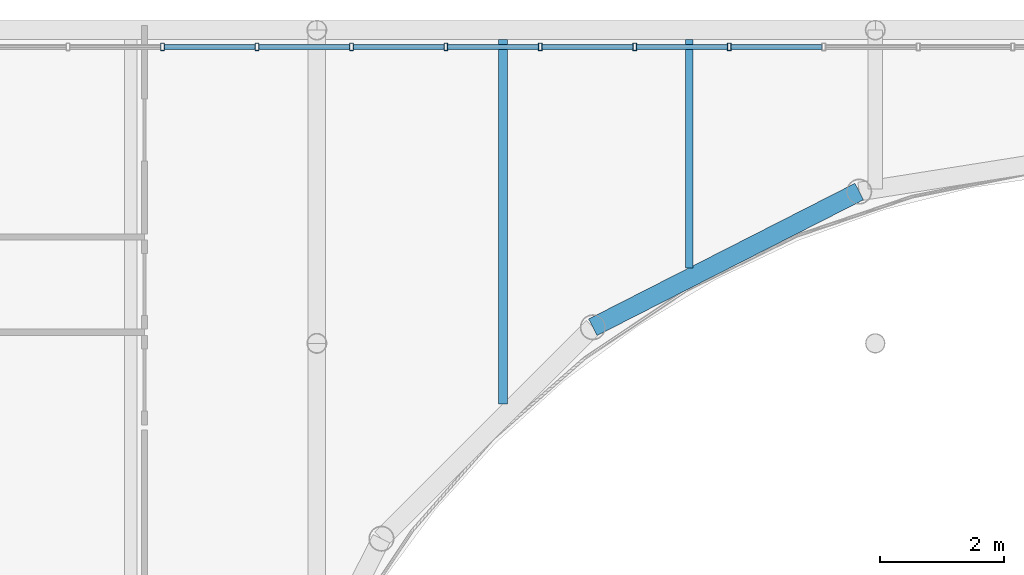
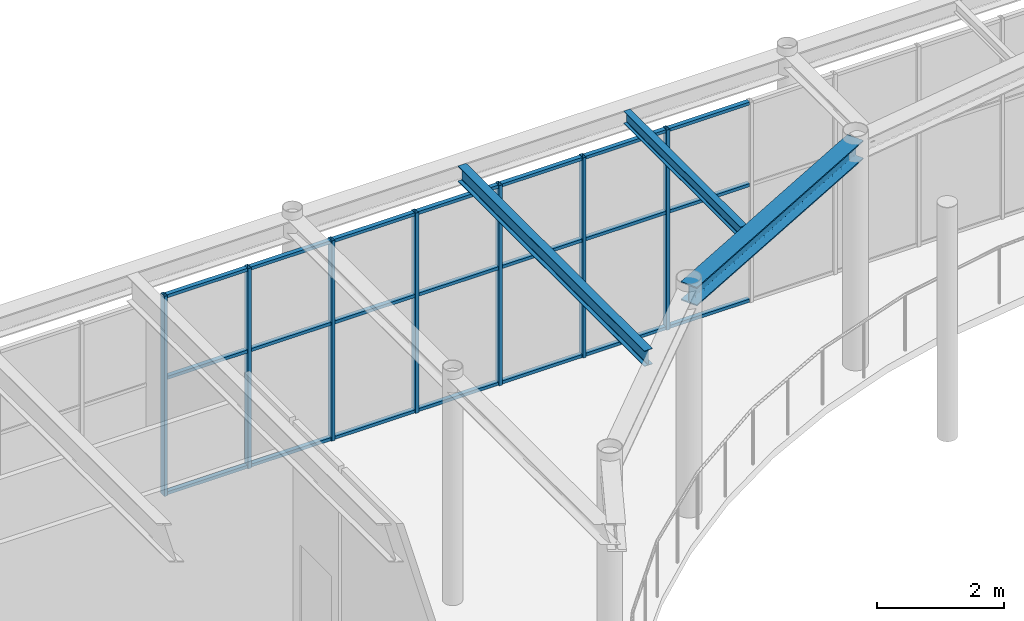
# One storey, part 36 of 70: 28 members, 3 beams, 1 element without a shape of its own.
"""IFC4 building model written with IfcOpenShell, lengths in metres."""

from ifc_helpers import new_model, si_unit, direction, frame, origin, origin_2d, place, context, subcontext, project, spatial, hollow_rectangle, i_section, extrude, material, layer, layer_set, material_profile, profile_set, type_object, element, aggregate, save


model = new_model("IFC4")

# Units and contexts
model_context = context("Model", 3, precision=1e-05, world=origin(), true_north=direction((0.0, 1.0)))
body_context = subcontext(model_context, "Body", "Model", "MODEL_VIEW")
ifc_project = project(units=[si_unit("LENGTHUNIT", "METRE"), si_unit("AREAUNIT", "SQUARE_METRE"), si_unit("VOLUMEUNIT", "CUBIC_METRE"), si_unit("PLANEANGLEUNIT", "RADIAN"), si_unit("MASSUNIT", "GRAM", prefix="KILO")], contexts=[model_context])

# Site, building, storey
site_placement = place(None, origin())
site = spatial("IfcSite", under=ifc_project, at=site_placement, CompositionType="ELEMENT")
building_placement = place(site_placement, origin())
building = spatial("IfcBuilding", under=site, at=building_placement, Name="Kallimachos Central Library", CompositionType="ELEMENT")
storey_placement = place(building_placement, frame((0.0, 0.0, 18.89990234375)))
storey = spatial("IfcBuildingStorey", under=building, at=storey_placement, Name="L04", CompositionType="ELEMENT", Elevation=18.89990234375)

# Curtain wall, members
ifc_material_1 = material(Name="Anodised aluminium and laminated glass", Category="aluminium")
ifc_layer = layer(ifc_material_1, 0.159912109375)
ifc_layer_set = layer_set([ifc_layer], Name="Glass box curtain wall")
curtain_wall_type = type_object("IfcCurtainWallType", Name="Glass box curtain wall", PredefinedType="NOTDEFINED", material=ifc_layer_set)
curtain_wall_placement = place(storey_placement, origin())
curtain_wall = element("IfcCurtainWall", 1, at=curtain_wall_placement, inside=storey, type_object=curtain_wall_type, Name="Glass box curtain wall N L04", PredefinedType="NOTDEFINED")
ifc_material_2 = material(Name="Anodised aluminium", Category="aluminium")
ifc_material_profile_1 = material_profile(ifc_material_2, hollow_rectangle(XDim=0.06005859375, YDim=0.1201171875, WallThickness=0.00390625, at=origin_2d()), Name="ALU MULLION 60x120")
ifc_profile_set_1 = profile_set([ifc_material_profile_1], Name="Anodised aluminium")
member_type_1 = type_object("IfcMemberType", Name="Glass box mullion 60x120", PredefinedType="MULLION", material=ifc_profile_set_1)
member_1_placement = place(storey_placement, frame((72.010986328125, 121.3798828125, 0.0), z_axis=(0.0, 0.0, 1.0), x_axis=(1.0, 0.0, 0.0)))
member_1 = element("IfcMember", 2, at=member_1_placement, type_object=member_type_1, Name="CW34 mullion 5", PredefinedType="MULLION", context=body_context, shape_type="SweptSolid", body=[
    extrude(hollow_rectangle(XDim=0.06005859375, YDim=0.1201171875, WallThickness=0.00390625, at=origin_2d()), origin(), (0.0, 0.0, 1.0), 3.85009765625),
])
member_2_placement = place(storey_placement, frame((73.53369140625, 121.3798828125, 0.0), z_axis=(0.0, 0.0, 1.0), x_axis=(1.0, 0.0, 0.0)))
member_2 = element("IfcMember", 3, at=member_2_placement, type_object=member_type_1, Name="CW34 mullion 6", PredefinedType="MULLION", context=body_context, shape_type="SweptSolid", body=[
    extrude(hollow_rectangle(XDim=0.06005859375, YDim=0.1201171875, WallThickness=0.00390625, at=origin_2d()), origin(), (0.0, 0.0, 1.0), 3.85009765625),
])
member_3_placement = place(storey_placement, frame((75.056640625, 121.3798828125, 0.0), z_axis=(0.0, 0.0, 1.0), x_axis=(1.0, 0.0, 0.0)))
member_3 = element("IfcMember", 4, at=member_3_placement, type_object=member_type_1, Name="CW34 mullion 7", PredefinedType="MULLION", context=body_context, shape_type="SweptSolid", body=[
    extrude(hollow_rectangle(XDim=0.06005859375, YDim=0.1201171875, WallThickness=0.00390625, at=origin_2d()), origin(), (0.0, 0.0, 1.0), 3.85009765625),
])
member_4_placement = place(storey_placement, frame((76.579345703125, 121.3798828125, 0.0), z_axis=(0.0, 0.0, 1.0), x_axis=(1.0, 0.0, 0.0)))
member_4 = element("IfcMember", 5, at=member_4_placement, type_object=member_type_1, Name="CW34 mullion 8", PredefinedType="MULLION", context=body_context, shape_type="SweptSolid", body=[
    extrude(hollow_rectangle(XDim=0.06005859375, YDim=0.1201171875, WallThickness=0.00390625, at=origin_2d()), origin(), (0.0, 0.0, 1.0), 3.85009765625),
])
member_5_placement = place(storey_placement, frame((78.10205078125, 121.3798828125, 0.0), z_axis=(0.0, 0.0, 1.0), x_axis=(1.0, 0.0, 0.0)))
member_5 = element("IfcMember", 6, at=member_5_placement, type_object=member_type_1, Name="CW34 mullion 9", PredefinedType="MULLION", context=body_context, shape_type="SweptSolid", body=[
    extrude(hollow_rectangle(XDim=0.06005859375, YDim=0.1201171875, WallThickness=0.00390625, at=origin_2d()), origin(), (0.0, 0.0, 1.0), 3.85009765625),
])
member_6_placement = place(storey_placement, frame((79.624755859375, 121.3798828125, 0.0), z_axis=(0.0, 0.0, 1.0), x_axis=(1.0, 0.0, 0.0)))
member_6 = element("IfcMember", 7, at=member_6_placement, type_object=member_type_1, Name="CW34 mullion 10", PredefinedType="MULLION", context=body_context, shape_type="SweptSolid", body=[
    extrude(hollow_rectangle(XDim=0.06005859375, YDim=0.1201171875, WallThickness=0.00390625, at=origin_2d()), origin(), (0.0, 0.0, 1.0), 3.85009765625),
])
member_7_placement = place(storey_placement, frame((81.147705078125, 121.3798828125, 0.0), z_axis=(0.0, 0.0, 1.0), x_axis=(1.0, 0.0, 0.0)))
member_7 = element("IfcMember", 8, at=member_7_placement, type_object=member_type_1, Name="CW34 mullion 11", PredefinedType="MULLION", context=body_context, shape_type="SweptSolid", body=[
    extrude(hollow_rectangle(XDim=0.06005859375, YDim=0.1201171875, WallThickness=0.00390625, at=origin_2d()), origin(), (0.0, 0.0, 1.0), 3.85009765625),
])
ifc_material_3 = material(Name="Anodised aluminium", Category="aluminium")
ifc_material_profile_2 = material_profile(ifc_material_3, hollow_rectangle(XDim=0.06005859375, YDim=0.080078125, WallThickness=0.00390625, at=origin_2d()), Name="ALU TRANSOM 60x80")
ifc_profile_set_2 = profile_set([ifc_material_profile_2], Name="Anodised aluminium")
member_type_2 = type_object("IfcMemberType", Name="Glass box transom 60x80", PredefinedType="USERDEFINED", material=ifc_profile_set_2)
member_8_placement = place(storey_placement, frame((72.041015625, 121.3798828125, 0.030029296875), z_axis=(1.0, 0.0, 0.0), x_axis=(0.0, 0.0, 1.0)))
member_8 = element("IfcMember", 9, at=member_8_placement, type_object=member_type_2, Name="CW34 transom 5.1", ObjectType="TRANSOM", PredefinedType="USERDEFINED", context=body_context, shape_type="SweptSolid", body=[
    extrude(hollow_rectangle(XDim=0.06005859375, YDim=0.080078125, WallThickness=0.00390625, at=origin_2d()), origin(), (0.0, 0.0, 1.0), 1.462890625),
])
member_9_placement = place(storey_placement, frame((72.041015625, 121.3798828125, 2.25), z_axis=(1.0, 0.0, 0.0), x_axis=(0.0, 0.0, 1.0)))
member_9 = element("IfcMember", 10, at=member_9_placement, type_object=member_type_2, Name="CW34 transom 5.2", ObjectType="TRANSOM", PredefinedType="USERDEFINED", context=body_context, shape_type="SweptSolid", body=[
    extrude(hollow_rectangle(XDim=0.06005859375, YDim=0.080078125, WallThickness=0.00390625, at=origin_2d()), origin(), (0.0, 0.0, 1.0), 1.462890625),
])
member_10_placement = place(storey_placement, frame((72.041015625, 121.3798828125, 3.820068359375), z_axis=(1.0, 0.0, 0.0), x_axis=(0.0, 0.0, 1.0)))
member_10 = element("IfcMember", 11, at=member_10_placement, type_object=member_type_2, Name="CW34 transom 5.3", ObjectType="TRANSOM", PredefinedType="USERDEFINED", context=body_context, shape_type="SweptSolid", body=[
    extrude(hollow_rectangle(XDim=0.06005859375, YDim=0.080078125, WallThickness=0.00390625, at=origin_2d()), origin(), (0.0, 0.0, 1.0), 1.462890625),
])
member_11_placement = place(storey_placement, frame((73.563720703125, 121.3798828125, 0.030029296875), z_axis=(1.0, 0.0, 0.0), x_axis=(0.0, 0.0, 1.0)))
member_11 = element("IfcMember", 12, at=member_11_placement, type_object=member_type_2, Name="CW34 transom 6.1", ObjectType="TRANSOM", PredefinedType="USERDEFINED", context=body_context, shape_type="SweptSolid", body=[
    extrude(hollow_rectangle(XDim=0.06005859375, YDim=0.080078125, WallThickness=0.00390625, at=origin_2d()), origin(), (0.0, 0.0, 1.0), 1.462890625),
])
member_12_placement = place(storey_placement, frame((73.563720703125, 121.3798828125, 2.25), z_axis=(1.0, 0.0, 0.0), x_axis=(0.0, 0.0, 1.0)))
member_12 = element("IfcMember", 13, at=member_12_placement, type_object=member_type_2, Name="CW34 transom 6.2", ObjectType="TRANSOM", PredefinedType="USERDEFINED", context=body_context, shape_type="SweptSolid", body=[
    extrude(hollow_rectangle(XDim=0.06005859375, YDim=0.080078125, WallThickness=0.00390625, at=origin_2d()), origin(), (0.0, 0.0, 1.0), 1.462890625),
])
member_13_placement = place(storey_placement, frame((73.563720703125, 121.3798828125, 3.820068359375), z_axis=(1.0, 0.0, 0.0), x_axis=(0.0, 0.0, 1.0)))
member_13 = element("IfcMember", 14, at=member_13_placement, type_object=member_type_2, Name="CW34 transom 6.3", ObjectType="TRANSOM", PredefinedType="USERDEFINED", context=body_context, shape_type="SweptSolid", body=[
    extrude(hollow_rectangle(XDim=0.06005859375, YDim=0.080078125, WallThickness=0.00390625, at=origin_2d()), origin(), (0.0, 0.0, 1.0), 1.462890625),
])
member_14_placement = place(storey_placement, frame((75.086669921875, 121.3798828125, 0.030029296875), z_axis=(1.0, 0.0, 0.0), x_axis=(0.0, 0.0, 1.0)))
member_14 = element("IfcMember", 15, at=member_14_placement, type_object=member_type_2, Name="CW34 transom 7.1", ObjectType="TRANSOM", PredefinedType="USERDEFINED", context=body_context, shape_type="SweptSolid", body=[
    extrude(hollow_rectangle(XDim=0.06005859375, YDim=0.080078125, WallThickness=0.00390625, at=origin_2d()), origin(), (0.0, 0.0, 1.0), 1.462646484375),
])
member_15_placement = place(storey_placement, frame((75.086669921875, 121.3798828125, 2.25), z_axis=(1.0, 0.0, 0.0), x_axis=(0.0, 0.0, 1.0)))
member_15 = element("IfcMember", 16, at=member_15_placement, type_object=member_type_2, Name="CW34 transom 7.2", ObjectType="TRANSOM", PredefinedType="USERDEFINED", context=body_context, shape_type="SweptSolid", body=[
    extrude(hollow_rectangle(XDim=0.06005859375, YDim=0.080078125, WallThickness=0.00390625, at=origin_2d()), origin(), (0.0, 0.0, 1.0), 1.462646484375),
])
member_16_placement = place(storey_placement, frame((75.086669921875, 121.3798828125, 3.820068359375), z_axis=(1.0, 0.0, 0.0), x_axis=(0.0, 0.0, 1.0)))
member_16 = element("IfcMember", 17, at=member_16_placement, type_object=member_type_2, Name="CW34 transom 7.3", ObjectType="TRANSOM", PredefinedType="USERDEFINED", context=body_context, shape_type="SweptSolid", body=[
    extrude(hollow_rectangle(XDim=0.06005859375, YDim=0.080078125, WallThickness=0.00390625, at=origin_2d()), origin(), (0.0, 0.0, 1.0), 1.462646484375),
])
member_17_placement = place(storey_placement, frame((76.609375, 121.3798828125, 0.030029296875), z_axis=(1.0, 0.0, 0.0), x_axis=(0.0, 0.0, 1.0)))
member_17 = element("IfcMember", 18, at=member_17_placement, type_object=member_type_2, Name="CW34 transom 8.1", ObjectType="TRANSOM", PredefinedType="USERDEFINED", context=body_context, shape_type="SweptSolid", body=[
    extrude(hollow_rectangle(XDim=0.06005859375, YDim=0.080078125, WallThickness=0.00390625, at=origin_2d()), origin(), (0.0, 0.0, 1.0), 1.462646484375),
])
member_18_placement = place(storey_placement, frame((76.609375, 121.3798828125, 2.25), z_axis=(1.0, 0.0, 0.0), x_axis=(0.0, 0.0, 1.0)))
member_18 = element("IfcMember", 19, at=member_18_placement, type_object=member_type_2, Name="CW34 transom 8.2", ObjectType="TRANSOM", PredefinedType="USERDEFINED", context=body_context, shape_type="SweptSolid", body=[
    extrude(hollow_rectangle(XDim=0.06005859375, YDim=0.080078125, WallThickness=0.00390625, at=origin_2d()), origin(), (0.0, 0.0, 1.0), 1.462646484375),
])
member_19_placement = place(storey_placement, frame((76.609375, 121.3798828125, 3.820068359375), z_axis=(1.0, 0.0, 0.0), x_axis=(0.0, 0.0, 1.0)))
member_19 = element("IfcMember", 20, at=member_19_placement, type_object=member_type_2, Name="CW34 transom 8.3", ObjectType="TRANSOM", PredefinedType="USERDEFINED", context=body_context, shape_type="SweptSolid", body=[
    extrude(hollow_rectangle(XDim=0.06005859375, YDim=0.080078125, WallThickness=0.00390625, at=origin_2d()), origin(), (0.0, 0.0, 1.0), 1.462646484375),
])
member_20_placement = place(storey_placement, frame((78.132080078125, 121.3798828125, 0.030029296875), z_axis=(1.0, 0.0, 0.0), x_axis=(0.0, 0.0, 1.0)))
member_20 = element("IfcMember", 21, at=member_20_placement, type_object=member_type_2, Name="CW34 transom 9.1", ObjectType="TRANSOM", PredefinedType="USERDEFINED", context=body_context, shape_type="SweptSolid", body=[
    extrude(hollow_rectangle(XDim=0.06005859375, YDim=0.080078125, WallThickness=0.00390625, at=origin_2d()), origin(), (0.0, 0.0, 1.0), 1.462646484375),
])
member_21_placement = place(storey_placement, frame((78.132080078125, 121.3798828125, 2.25), z_axis=(1.0, 0.0, 0.0), x_axis=(0.0, 0.0, 1.0)))
member_21 = element("IfcMember", 22, at=member_21_placement, type_object=member_type_2, Name="CW34 transom 9.2", ObjectType="TRANSOM", PredefinedType="USERDEFINED", context=body_context, shape_type="SweptSolid", body=[
    extrude(hollow_rectangle(XDim=0.06005859375, YDim=0.080078125, WallThickness=0.00390625, at=origin_2d()), origin(), (0.0, 0.0, 1.0), 1.462646484375),
])
member_22_placement = place(storey_placement, frame((78.132080078125, 121.3798828125, 3.820068359375), z_axis=(1.0, 0.0, 0.0), x_axis=(0.0, 0.0, 1.0)))
member_22 = element("IfcMember", 23, at=member_22_placement, type_object=member_type_2, Name="CW34 transom 9.3", ObjectType="TRANSOM", PredefinedType="USERDEFINED", context=body_context, shape_type="SweptSolid", body=[
    extrude(hollow_rectangle(XDim=0.06005859375, YDim=0.080078125, WallThickness=0.00390625, at=origin_2d()), origin(), (0.0, 0.0, 1.0), 1.462646484375),
])
member_23_placement = place(storey_placement, frame((79.65478515625, 121.3798828125, 0.030029296875), z_axis=(1.0, 0.0, 0.0), x_axis=(0.0, 0.0, 1.0)))
member_23 = element("IfcMember", 24, at=member_23_placement, type_object=member_type_2, Name="CW34 transom 10.1", ObjectType="TRANSOM", PredefinedType="USERDEFINED", context=body_context, shape_type="SweptSolid", body=[
    extrude(hollow_rectangle(XDim=0.06005859375, YDim=0.080078125, WallThickness=0.00390625, at=origin_2d()), origin(), (0.0, 0.0, 1.0), 1.462890625),
])
member_24_placement = place(storey_placement, frame((79.65478515625, 121.3798828125, 2.25), z_axis=(1.0, 0.0, 0.0), x_axis=(0.0, 0.0, 1.0)))
member_24 = element("IfcMember", 25, at=member_24_placement, type_object=member_type_2, Name="CW34 transom 10.2", ObjectType="TRANSOM", PredefinedType="USERDEFINED", context=body_context, shape_type="SweptSolid", body=[
    extrude(hollow_rectangle(XDim=0.06005859375, YDim=0.080078125, WallThickness=0.00390625, at=origin_2d()), origin(), (0.0, 0.0, 1.0), 1.462890625),
])
member_25_placement = place(storey_placement, frame((79.65478515625, 121.3798828125, 3.820068359375), z_axis=(1.0, 0.0, 0.0), x_axis=(0.0, 0.0, 1.0)))
member_25 = element("IfcMember", 26, at=member_25_placement, type_object=member_type_2, Name="CW34 transom 10.3", ObjectType="TRANSOM", PredefinedType="USERDEFINED", context=body_context, shape_type="SweptSolid", body=[
    extrude(hollow_rectangle(XDim=0.06005859375, YDim=0.080078125, WallThickness=0.00390625, at=origin_2d()), origin(), (0.0, 0.0, 1.0), 1.462890625),
])
member_26_placement = place(storey_placement, frame((81.177490234375, 121.3798828125, 0.030029296875), z_axis=(1.0, 0.0, 0.0), x_axis=(0.0, 0.0, 1.0)))
member_26 = element("IfcMember", 27, at=member_26_placement, type_object=member_type_2, Name="CW34 transom 11.1", ObjectType="TRANSOM", PredefinedType="USERDEFINED", context=body_context, shape_type="SweptSolid", body=[
    extrude(hollow_rectangle(XDim=0.06005859375, YDim=0.080078125, WallThickness=0.00390625, at=origin_2d()), origin(), (0.0, 0.0, 1.0), 1.462890625),
])
member_27_placement = place(storey_placement, frame((81.177490234375, 121.3798828125, 2.25), z_axis=(1.0, 0.0, 0.0), x_axis=(0.0, 0.0, 1.0)))
member_27 = element("IfcMember", 28, at=member_27_placement, type_object=member_type_2, Name="CW34 transom 11.2", ObjectType="TRANSOM", PredefinedType="USERDEFINED", context=body_context, shape_type="SweptSolid", body=[
    extrude(hollow_rectangle(XDim=0.06005859375, YDim=0.080078125, WallThickness=0.00390625, at=origin_2d()), origin(), (0.0, 0.0, 1.0), 1.462890625),
])
member_28_placement = place(storey_placement, frame((81.177490234375, 121.3798828125, 3.820068359375), z_axis=(1.0, 0.0, 0.0), x_axis=(0.0, 0.0, 1.0)))
member_28 = element("IfcMember", 29, at=member_28_placement, type_object=member_type_2, Name="CW34 transom 11.3", ObjectType="TRANSOM", PredefinedType="USERDEFINED", context=body_context, shape_type="SweptSolid", body=[
    extrude(hollow_rectangle(XDim=0.06005859375, YDim=0.080078125, WallThickness=0.00390625, at=origin_2d()), origin(), (0.0, 0.0, 1.0), 1.462890625),
])
aggregate(curtain_wall, [member_1, member_2, member_3, member_4, member_5, member_6, member_7, member_8, member_9, member_10, member_11, member_12, member_13, member_14, member_15, member_16, member_17, member_18, member_19, member_20, member_21, member_22, member_23, member_24, member_25, member_26, member_27, member_28])

# Beams
ifc_material_4 = material(Name="Steel S355J2", Category="steel")
ifc_material_profile_3 = material_profile(ifc_material_4, i_section(OverallWidth=0.300048828125, OverallDepth=0.360107421875, WebThickness=0.012451171875, FlangeThickness=0.0224609375, FilletRadius=0.027099609375, at=origin_2d()), Name="HEB 360")
ifc_profile_set_3 = profile_set([ifc_material_profile_3], Name="Steel S355J2")
beam_type_1 = type_object("IfcBeamType", Name="HEB 360 beam", PredefinedType="BEAM", material=ifc_profile_set_3)
beam_1_placement = place(storey_placement, frame((83.2412109375, 119.04638671875, 4.170166015625), z_axis=(-0.891006627269, -0.453990297432, 0.0), x_axis=(0.453990297432, -0.891006627269, 0.0)))
element("IfcBeam", 30, at=beam_1_placement, inside=storey, type_object=beam_type_1, Name="V1-BEM-L04-007", PredefinedType="BEAM", context=body_context, shape_type="SweptSolid", body=[
    extrude(i_section(OverallWidth=0.300048828125, OverallDepth=0.360107421875, WebThickness=0.012451171875, FlangeThickness=0.0224609375, FilletRadius=0.027099609375, at=origin_2d()), origin(), (0.0, 0.0, 1.0), 4.818359375),
])
ifc_material_5 = material(Name="Steel S355J2", Category="steel")
ifc_material_profile_4 = material_profile(ifc_material_5, i_section(OverallWidth=0.1201171875, OverallDepth=0.239990234375, WebThickness=0.006103515625, FlangeThickness=0.009765625, FilletRadius=0.014892578125, at=origin_2d()), Name="IPE 240")
ifc_profile_set_4 = profile_set([ifc_material_profile_4], Name="Steel S355J2")
beam_type_2 = type_object("IfcBeamType", Name="IPE 240 beam", PredefinedType="BEAM", material=ifc_profile_set_4)
beam_2_placement = place(storey_placement, frame((80.5, 117.818115234375, 4.22998046875), z_axis=(0.0, 1.0, 0.0), x_axis=(-1.0, 0.0, 0.0)))
element("IfcBeam", 31, at=beam_2_placement, inside=storey, type_object=beam_type_2, Name="V1-BEM-L04-056", PredefinedType="BEAM", context=body_context, shape_type="SweptSolid", body=[
    extrude(i_section(OverallWidth=0.1201171875, OverallDepth=0.239990234375, WebThickness=0.006103515625, FlangeThickness=0.009765625, FilletRadius=0.014892578125, at=origin_2d()), origin(), (0.0, 0.0, 1.0), 3.681884765625),
])
ifc_material_6 = material(Name="Steel S355J2", Category="steel")
ifc_material_profile_5 = material_profile(ifc_material_6, i_section(OverallWidth=0.14990234375, OverallDepth=0.300048828125, WebThickness=0.007080078125, FlangeThickness=0.0107421875, FilletRadius=0.014892578125, at=origin_2d()), Name="IPE 300")
ifc_profile_set_5 = profile_set([ifc_material_profile_5], Name="Steel S355J2")
beam_type_3 = type_object("IfcBeamType", Name="IPE 300 beam", PredefinedType="BEAM", material=ifc_profile_set_5)
beam_3_placement = place(storey_placement, frame((77.5, 115.622802734375, 4.2001953125), z_axis=(0.0, 1.0, 0.0), x_axis=(-1.0, 0.0, 0.0)))
element("IfcBeam", 32, at=beam_3_placement, inside=storey, type_object=beam_type_3, Name="V1-BEM-L04-054", PredefinedType="BEAM", context=body_context, shape_type="SweptSolid", body=[
    extrude(i_section(OverallWidth=0.14990234375, OverallDepth=0.300048828125, WebThickness=0.007080078125, FlangeThickness=0.0107421875, FilletRadius=0.014892578125, at=origin_2d()), origin(), (0.0, 0.0, 1.0), 5.877197265625),
])

save(model, "model.ifc")
